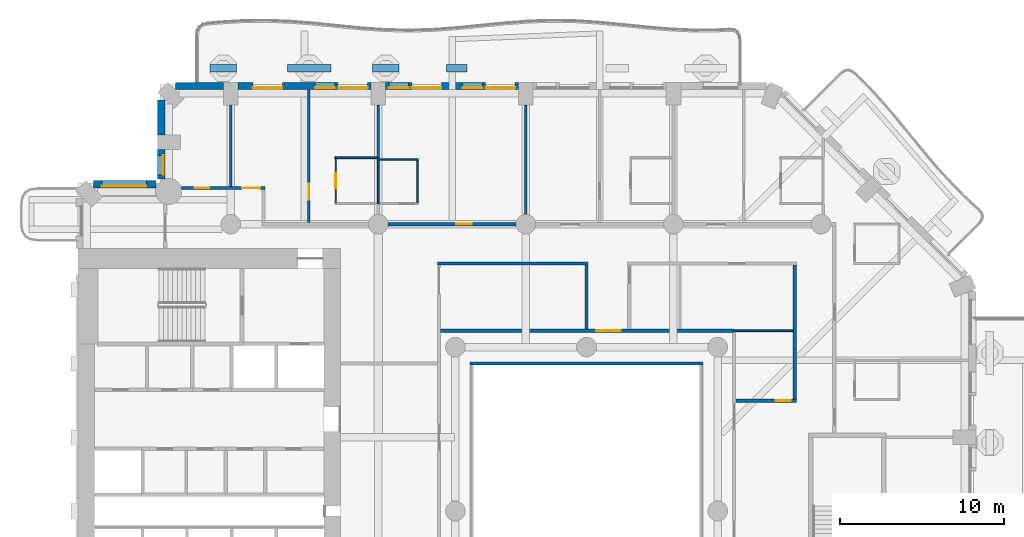
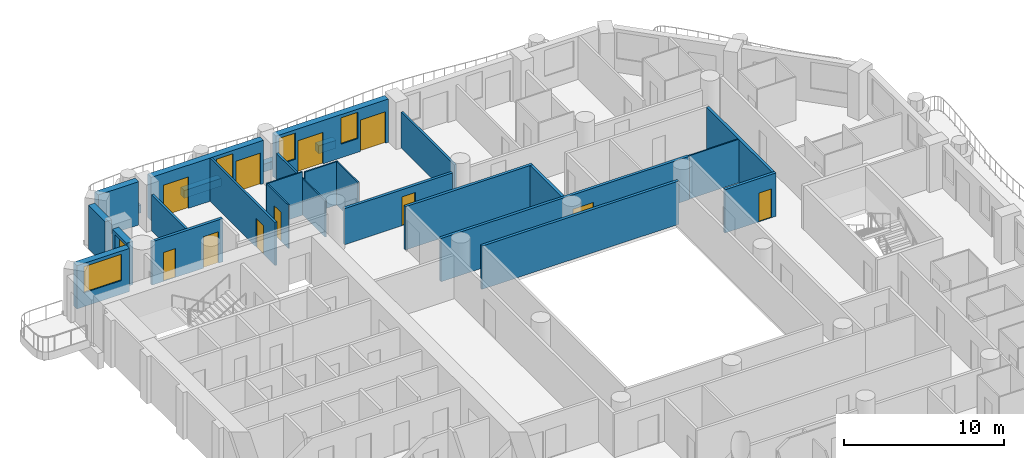
# One storey, part 8 of 20: 28 walls, 11 doors, 5 windows, 16 openings.
"""IFC4 building model written with IfcOpenShell, lengths in metres."""

from ifc_helpers import new_model, si_unit, direction, frame, frame_2d, origin, place, context, subcontext, project, spatial, rectangle, extrude, material, layer, layer_set, type_object, element, fill, save


model = new_model("IFC4")

# Units and contexts
model_context = context("Model", 3, precision=1e-05, world=origin(), true_north=direction((0.0, 1.0)))
body_context = subcontext(model_context, "Body", "Model", "MODEL_VIEW")
ifc_project = project(units=[si_unit("LENGTHUNIT", "METRE"), si_unit("AREAUNIT", "SQUARE_METRE"), si_unit("VOLUMEUNIT", "CUBIC_METRE"), si_unit("PLANEANGLEUNIT", "RADIAN"), si_unit("MASSUNIT", "GRAM", prefix="KILO")], contexts=[model_context])

# Site, building, storey
site_placement = place(None, origin())
site = spatial("IfcSite", under=ifc_project, at=site_placement, CompositionType="ELEMENT")
building_placement = place(site_placement, origin())
building = spatial("IfcBuilding", under=site, at=building_placement, Name="Cypress Arch Tower", CompositionType="ELEMENT")
storey_placement = place(building_placement, frame((0.0, 0.0, 84.300048828125)))
storey = spatial("IfcBuildingStorey", under=building, at=storey_placement, Name="L15", CompositionType="ELEMENT", Elevation=84.300048828125)

# Walls
ifc_material_1 = material(Name="Concrete C40/50, waterproofed", Category="concrete")
ifc_layer_1 = layer(ifc_material_1, 0.449951171875)
ifc_layer_set_1 = layer_set([ifc_layer_1], Name="Balcony planter wall PW450")
wall_type_1 = type_object("IfcWallType", Name="Balcony planter wall PW450", PredefinedType="SOLIDWALL", material=ifc_layer_set_1)
wall_1_placement = place(storey_placement, frame((-6.300048828125, 27.0, 0.0), z_axis=(0.0, 0.0, 1.0), x_axis=(-1.0, 0.0, 0.0)))
element("IfcWall", 1, at=wall_1_placement, inside=storey, type_object=wall_type_1, Name="Balcony planter wall L15-A08.3", PredefinedType="SOLIDWALL", context=body_context, shape_type="SweptSolid", body=[
    extrude(rectangle(XDim=1.25, YDim=0.449951171875, at=frame_2d((0.625, 0.0))), origin(), (0.0, 0.0, 1.0), 0.599853515625),
])
wall_2_placement = place(storey_placement, frame((-10.4375, 27.0, 0.0), z_axis=(0.0, 0.0, 1.0), x_axis=(-1.0, 0.0, 0.0)))
element("IfcWall", 2, at=wall_2_placement, inside=storey, type_object=wall_type_1, Name="Balcony planter wall L15-A08.4", PredefinedType="SOLIDWALL", context=body_context, shape_type="SweptSolid", body=[
    extrude(rectangle(XDim=1.612548828125, YDim=0.449951171875, at=frame_2d((0.80615234375, 0.0))), origin(), (0.0, 0.0, 1.0), 0.599853515625),
])
wall_3_placement = place(storey_placement, frame((-14.574951171875, 27.0, 0.0), z_axis=(0.0, 0.0, 1.0), x_axis=(-1.0, 0.0, 0.0)))
element("IfcWall", 3, at=wall_3_placement, inside=storey, type_object=wall_type_1, Name="Balcony planter wall L15-A08.5", PredefinedType="SOLIDWALL", context=body_context, shape_type="SweptSolid", body=[
    extrude(rectangle(XDim=2.675048828125, YDim=0.449951171875, at=frame_2d((1.33740234375, 0.0))), origin(), (0.0, 0.0, 1.0), 0.599853515625),
])
wall_4_placement = place(storey_placement, frame((-20.35009765625, 27.0, 0.0), z_axis=(0.0, 0.0, 1.0), x_axis=(-1.0, 0.0, 0.0)))
element("IfcWall", 4, at=wall_4_placement, inside=storey, type_object=wall_type_1, Name="Balcony planter wall L15-A08.6", PredefinedType="SOLIDWALL", context=body_context, shape_type="SweptSolid", body=[
    extrude(rectangle(XDim=1.599853515625, YDim=0.449951171875, at=frame_2d((0.7998046875, 0.0))), origin(), (0.0, 0.0, 1.0), 0.599853515625),
])

# Wall, openings, doors, windows
ifc_material_2 = material(Name="Brick (red buff blend)", Category="masonry")
ifc_layer_2 = layer(ifc_material_2, 0.449951171875)
ifc_layer_set_2 = layer_set([ifc_layer_2], Name="Brick pier and spandrel wall BW450")
wall_type_2 = type_object("IfcWallType", Name="Brick pier and spandrel wall BW450", PredefinedType="SOLIDWALL", material=ifc_layer_set_2)
wall_5_placement = place(storey_placement, frame((-3.14990234375, 25.925048828125, 0.0), z_axis=(0.0, 0.0, 1.0), x_axis=(-1.0, 0.0, 0.0)))
wall_5 = element("IfcWall", 5, at=wall_5_placement, inside=storey, type_object=wall_type_2, Name="Brick wall L15 A08.2", PredefinedType="SOLIDWALL", context=body_context, shape_type="SweptSolid", body=[
    extrude(rectangle(XDim=8.10009765625, YDim=0.449951171875, at=frame_2d((4.050048828125, 0.0))), origin(), (0.0, 0.0, 1.0), 3.300048828125),
])
opening_1_placement = place(wall_5_placement, frame((0.199951171875, 0.0, 0.0)))
opening_1 = element("IfcOpeningElement", 6, at=opening_1_placement, cuts=wall_5, Name="Opening D-L15-A08.2.1", PredefinedType="OPENING", context=body_context, shape_type="SweptSolid", body=[
    extrude(rectangle(XDim=1.800048828125, YDim=2.39990234375, at=frame_2d((0.89990234375, 1.199951171875))), frame((0.0, 0.23486328125, 0.0), z_axis=(0.0, -1.0, 0.0), x_axis=(1.0, 0.0, 0.0)), (0.0, 0.0, 1.0), 0.469970703125),
])
opening_2_placement = place(wall_5_placement, frame((2.199951171875, 0.0, 1.050048828125)))
opening_2 = element("IfcOpeningElement", 7, at=opening_2_placement, cuts=wall_5, Name="Opening W120HD", PredefinedType="OPENING", context=body_context, shape_type="SweptSolid", body=[
    extrude(rectangle(XDim=1.199951171875, YDim=2.0, at=frame_2d((0.60009765625, 1.0))), frame((0.0, 0.23486328125, 0.0), z_axis=(0.0, -1.0, 0.0), x_axis=(1.0, 0.0, 0.0)), (0.0, 0.0, 1.0), 0.469970703125),
])
opening_3_placement = place(wall_5_placement, frame((4.699951171875, 0.0, 0.0)))
opening_3 = element("IfcOpeningElement", 8, at=opening_3_placement, cuts=wall_5, Name="Opening D-L15-A08.2.2", PredefinedType="OPENING", context=body_context, shape_type="SweptSolid", body=[
    extrude(rectangle(XDim=1.800048828125, YDim=2.39990234375, at=frame_2d((0.89990234375, 1.199951171875))), frame((0.0, 0.23486328125, 0.0), z_axis=(0.0, -1.0, 0.0), x_axis=(1.0, 0.0, 0.0)), (0.0, 0.0, 1.0), 0.469970703125),
])
opening_4_placement = place(wall_5_placement, frame((6.699951171875, 0.0, 1.050048828125)))
opening_4 = element("IfcOpeningElement", 9, at=opening_4_placement, cuts=wall_5, Name="Opening W120HD", PredefinedType="OPENING", context=body_context, shape_type="SweptSolid", body=[
    extrude(rectangle(XDim=1.199951171875, YDim=2.0, at=frame_2d((0.60009765625, 1.0))), frame((0.0, 0.23486328125, 0.0), z_axis=(0.0, -1.0, 0.0), x_axis=(1.0, 0.0, 0.0)), (0.0, 0.0, 1.0), 0.469970703125),
])
ifc_material_3 = material(Name="Anodised aluminium, bronze finish, laminated low-emissivity double glazing, large-missile impact rated", Category="aluminium")
door_type_1 = type_object("IfcDoorType", Name="Balcony sliding door 1800x2400", OperationType="SLIDING_TO_LEFT", PredefinedType="DOOR", material=ifc_material_3)
door_1_placement = place(opening_1_placement, origin())
door_1 = element("IfcDoor", 10, at=door_1_placement, inside=storey, type_object=door_type_1, Name="Balcony door L15 A08.2.1", OperationType="SLIDING_TO_LEFT", OverallHeight=2.39990234375, OverallWidth=1.800048828125, PredefinedType="DOOR", context=body_context, shape_type="SweptSolid", body=[
    extrude(rectangle(XDim=1.800048828125, YDim=2.39990234375, at=frame_2d((0.89990234375, 1.199951171875))), frame((0.0, 0.1298828125, 0.0), z_axis=(0.0, -1.0, 0.0), x_axis=(1.0, 0.0, 0.0)), (0.0, 0.0, 1.0), 0.050048828125),
])
fill(opening_1, door_1)
door_2_placement = place(opening_3_placement, origin())
door_2 = element("IfcDoor", 11, at=door_2_placement, inside=storey, type_object=door_type_1, Name="Balcony door L15 A08.2.2", OperationType="SLIDING_TO_LEFT", OverallHeight=2.39990234375, OverallWidth=1.800048828125, PredefinedType="DOOR", context=body_context, shape_type="SweptSolid", body=[
    extrude(rectangle(XDim=1.800048828125, YDim=2.39990234375, at=frame_2d((0.89990234375, 1.199951171875))), frame((0.0, 0.1298828125, 0.0), z_axis=(0.0, -1.0, 0.0), x_axis=(1.0, 0.0, 0.0)), (0.0, 0.0, 1.0), 0.050048828125),
])
fill(opening_3, door_2)
ifc_material_4 = material(Name="Anodised aluminium, bronze finish, laminated low-emissivity double glazing, large-missile impact rated", Category="aluminium")
window_type_1 = type_object("IfcWindowType", Name="Window Hotel 1200x2000 debris-rated", PartitioningType="SINGLE_PANEL", PredefinedType="WINDOW", material=ifc_material_4)
window_1_placement = place(opening_2_placement, origin())
window_1 = element("IfcWindow", 12, at=window_1_placement, inside=storey, type_object=window_type_1, Name="Window L15 A08.2.1", OverallHeight=2.0, OverallWidth=1.199951171875, PartitioningType="SINGLE_PANEL", PredefinedType="WINDOW", context=body_context, shape_type="SweptSolid", body=[
    extrude(rectangle(XDim=1.199951171875, YDim=2.0, at=frame_2d((0.60009765625, 1.0))), frame((0.0, 0.135009765625, 0.0), z_axis=(0.0, -1.0, 0.0), x_axis=(1.0, 0.0, 0.0)), (0.0, 0.0, 1.0), 0.06005859375),
])
fill(opening_2, window_1)
window_2_placement = place(opening_4_placement, origin())
window_2 = element("IfcWindow", 13, at=window_2_placement, inside=storey, type_object=window_type_1, Name="Window L15 A08.2.2", OverallHeight=2.0, OverallWidth=1.199951171875, PartitioningType="SINGLE_PANEL", PredefinedType="WINDOW", context=body_context, shape_type="SweptSolid", body=[
    extrude(rectangle(XDim=1.199951171875, YDim=2.0, at=frame_2d((0.60009765625, 1.0))), frame((0.0, 0.135009765625, 0.0), z_axis=(0.0, -1.0, 0.0), x_axis=(1.0, 0.0, 0.0)), (0.0, 0.0, 1.0), 0.06005859375),
])
fill(opening_4, window_2)

# Wall, openings, doors, window
wall_6_placement = place(storey_placement, frame((-12.14990234375, 25.925048828125, 0.0), z_axis=(0.0, 0.0, 1.0), x_axis=(-1.0, 0.0, 0.0)))
wall_6 = element("IfcWall", 14, at=wall_6_placement, inside=storey, type_object=wall_type_2, Name="Brick wall L15 A08.3", PredefinedType="SOLIDWALL", context=body_context, shape_type="SweptSolid", body=[
    extrude(rectangle(XDim=8.10009765625, YDim=0.449951171875, at=frame_2d((4.050048828125, 0.0))), origin(), (0.0, 0.0, 1.0), 3.300048828125),
])
opening_5_placement = place(wall_6_placement, frame((0.199951171875, 0.0, 0.0)))
opening_5 = element("IfcOpeningElement", 15, at=opening_5_placement, cuts=wall_6, Name="Opening D-L15-A08.3.1", PredefinedType="OPENING", context=body_context, shape_type="SweptSolid", body=[
    extrude(rectangle(XDim=1.800048828125, YDim=2.39990234375, at=frame_2d((0.89990234375, 1.199951171875))), frame((0.0, 0.23486328125, 0.0), z_axis=(0.0, -1.0, 0.0), x_axis=(1.0, 0.0, 0.0)), (0.0, 0.0, 1.0), 0.469970703125),
])
opening_6_placement = place(wall_6_placement, frame((2.199951171875, 0.0, 1.050048828125)))
opening_6 = element("IfcOpeningElement", 16, at=opening_6_placement, cuts=wall_6, Name="Opening W120HD", PredefinedType="OPENING", context=body_context, shape_type="SweptSolid", body=[
    extrude(rectangle(XDim=1.199951171875, YDim=2.0, at=frame_2d((0.60009765625, 1.0))), frame((0.0, 0.23486328125, 0.0), z_axis=(0.0, -1.0, 0.0), x_axis=(1.0, 0.0, 0.0)), (0.0, 0.0, 1.0), 0.469970703125),
])
opening_7_placement = place(wall_6_placement, frame((5.39990234375, 0.0, 0.0)))
opening_7 = element("IfcOpeningElement", 17, at=opening_7_placement, cuts=wall_6, Name="Opening D-L15-A08.3.2", PredefinedType="OPENING", context=body_context, shape_type="SweptSolid", body=[
    extrude(rectangle(XDim=1.800048828125, YDim=2.39990234375, at=frame_2d((0.89990234375, 1.199951171875))), frame((0.0, 0.23486328125, 0.0), z_axis=(0.0, -1.0, 0.0), x_axis=(1.0, 0.0, 0.0)), (0.0, 0.0, 1.0), 0.469970703125),
])
door_3_placement = place(opening_5_placement, origin())
door_3 = element("IfcDoor", 18, at=door_3_placement, inside=storey, type_object=door_type_1, Name="Balcony door L15 A08.3.1", OperationType="SLIDING_TO_LEFT", OverallHeight=2.39990234375, OverallWidth=1.800048828125, PredefinedType="DOOR", context=body_context, shape_type="SweptSolid", body=[
    extrude(rectangle(XDim=1.800048828125, YDim=2.39990234375, at=frame_2d((0.89990234375, 1.199951171875))), frame((0.0, 0.1298828125, 0.0), z_axis=(0.0, -1.0, 0.0), x_axis=(1.0, 0.0, 0.0)), (0.0, 0.0, 1.0), 0.050048828125),
])
fill(opening_5, door_3)
door_4_placement = place(opening_7_placement, origin())
door_4 = element("IfcDoor", 19, at=door_4_placement, inside=storey, type_object=door_type_1, Name="Balcony door L15 A08.3.2", OperationType="SLIDING_TO_LEFT", OverallHeight=2.39990234375, OverallWidth=1.800048828125, PredefinedType="DOOR", context=body_context, shape_type="SweptSolid", body=[
    extrude(rectangle(XDim=1.800048828125, YDim=2.39990234375, at=frame_2d((0.89990234375, 1.199951171875))), frame((0.0, 0.1298828125, 0.0), z_axis=(0.0, -1.0, 0.0), x_axis=(1.0, 0.0, 0.0)), (0.0, 0.0, 1.0), 0.050048828125),
])
fill(opening_7, door_4)
window_3_placement = place(opening_6_placement, origin())
window_3 = element("IfcWindow", 20, at=window_3_placement, inside=storey, type_object=window_type_1, Name="Window L15 A08.3.1", OverallHeight=2.0, OverallWidth=1.199951171875, PartitioningType="SINGLE_PANEL", PredefinedType="WINDOW", context=body_context, shape_type="SweptSolid", body=[
    extrude(rectangle(XDim=1.199951171875, YDim=2.0, at=frame_2d((0.60009765625, 1.0))), frame((0.0, 0.135009765625, 0.0), z_axis=(0.0, -1.0, 0.0), x_axis=(1.0, 0.0, 0.0)), (0.0, 0.0, 1.0), 0.06005859375),
])
fill(opening_6, window_3)

# Walls
wall_7_placement = place(storey_placement, frame((-21.14990234375, 25.925048828125, 0.0), z_axis=(0.0, 0.0, 1.0), x_axis=(-1.0, 0.0, 0.0)))
element("IfcWall", 21, at=wall_7_placement, inside=storey, type_object=wall_type_2, Name="Brick wall L15 A08.4", PredefinedType="SOLIDWALL", context=body_context, shape_type="SweptSolid", body=[
    extrude(rectangle(XDim=2.913818359375, YDim=0.449951171875, at=frame_2d((1.45703125, 0.0))), origin(), (0.0, 0.0, 1.0), 3.300048828125),
])
wall_8_placement = place(storey_placement, frame((-24.925048828125, 25.063720703125, 0.0), z_axis=(0.0, 0.0, 1.0), x_axis=(0.0, -1.0, 0.0)))
element("IfcWall", 22, at=wall_8_placement, inside=storey, type_object=wall_type_2, Name="Brick wall L15 A09.0", PredefinedType="SOLIDWALL", context=body_context, shape_type="SweptSolid", body=[
    extrude(rectangle(XDim=2.11376953125, YDim=0.449951171875, at=frame_2d((1.056884765625, 0.0))), origin(), (0.0, 0.0, 1.0), 3.300048828125),
])

# Wall, opening, window
wall_9_placement = place(storey_placement, frame((-24.925048828125, 22.050048828125, 0.0), z_axis=(0.0, 0.0, 1.0), x_axis=(0.0, -1.0, 0.0)))
wall_9 = element("IfcWall", 23, at=wall_9_placement, inside=storey, type_object=wall_type_2, Name="Brick wall L15 A09.1", PredefinedType="SOLIDWALL", context=body_context, shape_type="SweptSolid", body=[
    extrude(rectangle(XDim=1.79150390625, YDim=0.449951171875, at=frame_2d((0.895751953125, 0.0))), origin(), (0.0, 0.0, 1.0), 3.300048828125),
])
opening_8_placement = place(wall_9_placement, frame((0.35009765625, 0.0, 1.050048828125)))
opening_8 = element("IfcOpeningElement", 24, at=opening_8_placement, cuts=wall_9, Name="Opening W120H", PredefinedType="OPENING", context=body_context, shape_type="SweptSolid", body=[
    extrude(rectangle(XDim=1.199951171875, YDim=2.0, at=frame_2d((0.60009765625, 1.0))), frame((0.0, 0.23486328125, 0.0), z_axis=(0.0, -1.0, 0.0), x_axis=(1.0, 0.0, 0.0)), (0.0, 0.0, 1.0), 0.469970703125),
])
ifc_material_5 = material(Name="Anodised aluminium, bronze finish, clear low-emissivity double glazing", Category="aluminium")
window_type_2 = type_object("IfcWindowType", Name="Window Hotel 1200x2000", PartitioningType="SINGLE_PANEL", PredefinedType="WINDOW", material=ifc_material_5)
window_4_placement = place(opening_8_placement, origin())
window_4 = element("IfcWindow", 25, at=window_4_placement, inside=storey, type_object=window_type_2, Name="Window L15 A09.1.1", OverallHeight=2.0, OverallWidth=1.199951171875, PartitioningType="SINGLE_PANEL", PredefinedType="WINDOW", context=body_context, shape_type="SweptSolid", body=[
    extrude(rectangle(XDim=1.199951171875, YDim=2.0, at=frame_2d((0.60009765625, 1.0))), frame((0.0, 0.135009765625, 0.0), z_axis=(0.0, -1.0, 0.0), x_axis=(1.0, 0.0, 0.0)), (0.0, 0.0, 1.0), 0.06005859375),
])
fill(opening_8, window_4)

wall_10_placement = place(storey_placement, frame((-25.258544921875, 19.925048828125, 0.0), z_axis=(0.0, 0.0, 1.0), x_axis=(-1.0, 0.0, 0.0)))
wall_10 = element("IfcWall", 26, at=wall_10_placement, inside=storey, type_object=wall_type_2, Name="Brick wall L15 A10.0", PredefinedType="SOLIDWALL", context=body_context, shape_type="SweptSolid", body=[
    extrude(rectangle(XDim=3.80517578125, YDim=0.449951171875, at=frame_2d((1.902587890625, 0.0))), origin(), (0.0, 0.0, 1.0), 3.300048828125),
])
opening_9_placement = place(wall_10_placement, frame((0.591552734375, 0.0, 1.050048828125)))
opening_9 = element("IfcOpeningElement", 27, at=opening_9_placement, cuts=wall_10, Name="Opening W270H", PredefinedType="OPENING", context=body_context, shape_type="SweptSolid", body=[
    extrude(rectangle(XDim=2.699951171875, YDim=2.0, at=frame_2d((1.35009765625, 1.0))), frame((0.0, 0.23486328125, 0.0), z_axis=(0.0, -1.0, 0.0), x_axis=(1.0, 0.0, 0.0)), (0.0, 0.0, 1.0), 0.469970703125),
])
ifc_material_6 = material(Name="Anodised aluminium, bronze finish, clear low-emissivity double glazing", Category="aluminium")
window_type_3 = type_object("IfcWindowType", Name="Window Hotel 2700x2000", PartitioningType="SINGLE_PANEL", PredefinedType="WINDOW", material=ifc_material_6)
window_5_placement = place(opening_9_placement, origin())
window_5 = element("IfcWindow", 28, at=window_5_placement, inside=storey, type_object=window_type_3, Name="Window L15 A10.0.1", OverallHeight=2.0, OverallWidth=2.699951171875, PartitioningType="SINGLE_PANEL", PredefinedType="WINDOW", context=body_context, shape_type="SweptSolid", body=[
    extrude(rectangle(XDim=2.699951171875, YDim=2.0, at=frame_2d((1.35009765625, 1.0))), frame((0.0, 0.135009765625, 0.0), z_axis=(0.0, -1.0, 0.0), x_axis=(1.0, 0.0, 0.0)), (0.0, 0.0, 1.0), 0.06005859375),
])
fill(opening_9, window_5)

# Wall, openings, doors
ifc_material_7 = material(Name="Concrete blockwork, plastered, rated", Category="masonry")
ifc_layer_3 = layer(ifc_material_7, 0.199951171875)
ifc_layer_set_3 = layer_set([ifc_layer_3], Name="Corridor wall FW200")
wall_type_3 = type_object("IfcWallType", Name="Corridor wall FW200", PredefinedType="PARTITIONING", material=ifc_layer_set_3)
wall_11_placement = place(storey_placement, frame((-23.7001953125, 19.699951171875, 0.0), z_axis=(0.0, 0.0, 1.0), x_axis=(1.0, 0.0, 0.0)))
wall_11 = element("IfcWall", 29, at=wall_11_placement, inside=storey, type_object=wall_type_3, Name="Corridor wall", PredefinedType="PARTITIONING", context=body_context, shape_type="SweptSolid", body=[
    extrude(rectangle(XDim=5.10009765625, YDim=0.199951171875, at=frame_2d((2.550048828125, 0.0))), origin(), (0.0, 0.0, 1.0), 3.300048828125),
])
opening_10_placement = place(wall_11_placement, frame((0.800048828125, 0.0, 0.0)))
opening_10 = element("IfcOpeningElement", 30, at=opening_10_placement, cuts=wall_11, Name="Opening D05", PredefinedType="OPENING", context=body_context, shape_type="SweptSolid", body=[
    extrude(rectangle(XDim=0.89990234375, YDim=2.199951171875, at=frame_2d((0.449951171875, 1.10009765625))), frame((0.0, 0.10986328125, 0.0), z_axis=(0.0, -1.0, 0.0), x_axis=(1.0, 0.0, 0.0)), (0.0, 0.0, 1.0), 0.219970703125),
])
opening_11_placement = place(wall_11_placement, frame((3.699951171875, 0.0, 0.0)))
opening_11 = element("IfcOpeningElement", 31, at=opening_11_placement, cuts=wall_11, Name="Opening D01", PredefinedType="OPENING", context=body_context, shape_type="SweptSolid", body=[
    extrude(rectangle(XDim=1.10009765625, YDim=2.39990234375, at=frame_2d((0.550048828125, 1.199951171875))), frame((0.0, 0.10986328125, 0.0), z_axis=(0.0, -1.0, 0.0), x_axis=(1.0, 0.0, 0.0)), (0.0, 0.0, 1.0), 0.219970703125),
])
ifc_material_8 = material(Name="Timber flush door", Category="wood")
door_type_2 = type_object("IfcDoorType", Name="Service door D05 900x2200", OperationType="SINGLE_SWING_LEFT", PredefinedType="DOOR", material=ifc_material_8)
door_5_placement = place(opening_10_placement, origin())
door_5 = element("IfcDoor", 32, at=door_5_placement, inside=storey, type_object=door_type_2, Name="Service door", OperationType="SINGLE_SWING_LEFT", OverallHeight=2.199951171875, OverallWidth=0.89990234375, PredefinedType="DOOR", context=body_context, shape_type="SweptSolid", body=[
    extrude(rectangle(XDim=0.89990234375, YDim=2.199951171875, at=frame_2d((0.449951171875, 1.10009765625))), frame((0.0, 0.02490234375, 0.0), z_axis=(0.0, -1.0, 0.0), x_axis=(1.0, 0.0, 0.0)), (0.0, 0.0, 1.0), 0.050048828125),
])
fill(opening_10, door_5)
ifc_material_9 = material(Name="Timber flush door, fire resisting, self-closing", Category="wood")
door_type_3 = type_object("IfcDoorType", Name="Unit entrance door D01 1100x2400", OperationType="SINGLE_SWING_LEFT", PredefinedType="DOOR", material=ifc_material_9)
door_6_placement = place(opening_11_placement, origin())
door_6 = element("IfcDoor", 33, at=door_6_placement, inside=storey, type_object=door_type_3, Name="Unit entrance door", OperationType="SINGLE_SWING_LEFT", OverallHeight=2.39990234375, OverallWidth=1.10009765625, PredefinedType="DOOR", context=body_context, shape_type="SweptSolid", body=[
    extrude(rectangle(XDim=1.10009765625, YDim=2.39990234375, at=frame_2d((0.550048828125, 1.199951171875))), frame((0.0, 0.02490234375, 0.0), z_axis=(0.0, -1.0, 0.0), x_axis=(1.0, 0.0, 0.0)), (0.0, 0.0, 1.0), 0.050048828125),
])
fill(opening_11, door_6)

# Wall, opening, door
wall_12_placement = place(storey_placement, frame((-11.10009765625, 17.5, 0.0), z_axis=(0.0, 0.0, 1.0), x_axis=(1.0, 0.0, 0.0)))
wall_12 = element("IfcWall", 34, at=wall_12_placement, inside=storey, type_object=wall_type_3, Name="Corridor wall", PredefinedType="PARTITIONING", context=body_context, shape_type="SweptSolid", body=[
    extrude(rectangle(XDim=7.800048828125, YDim=0.199951171875, at=frame_2d((3.89990234375, 0.0))), origin(), (0.0, 0.0, 1.0), 2.75),
])
opening_12_placement = place(wall_12_placement, frame((4.14990234375, 0.0, 0.0)))
opening_12 = element("IfcOpeningElement", 35, at=opening_12_placement, cuts=wall_12, Name="Opening D02", PredefinedType="OPENING", context=body_context, shape_type="SweptSolid", body=[
    extrude(rectangle(XDim=0.949951171875, YDim=2.199951171875, at=frame_2d((0.47509765625, 1.10009765625))), frame((0.0, 0.10986328125, 0.0), z_axis=(0.0, -1.0, 0.0), x_axis=(1.0, 0.0, 0.0)), (0.0, 0.0, 1.0), 0.219970703125),
])
ifc_material_10 = material(Name="Timber flush door, fire resisting", Category="wood")
door_type_4 = type_object("IfcDoorType", Name="Room door D02 950x2200", OperationType="SINGLE_SWING_LEFT", PredefinedType="DOOR", material=ifc_material_10)
door_7_placement = place(opening_12_placement, origin())
door_7 = element("IfcDoor", 36, at=door_7_placement, inside=storey, type_object=door_type_4, Name="Room door", OperationType="SINGLE_SWING_RIGHT", OverallHeight=2.199951171875, OverallWidth=0.949951171875, PredefinedType="DOOR", context=body_context, shape_type="SweptSolid", body=[
    extrude(rectangle(XDim=0.949951171875, YDim=2.199951171875, at=frame_2d((0.47509765625, 1.10009765625))), frame((0.0, 0.02490234375, 0.0), z_axis=(0.0, -1.0, 0.0), x_axis=(1.0, 0.0, 0.0)), (0.0, 0.0, 1.0), 0.050048828125),
])
fill(opening_12, door_7)

wall_13_placement = place(storey_placement, frame((-7.89990234375, 11.0, 0.0), z_axis=(0.0, 0.0, 1.0), x_axis=(1.0, 0.0, 0.0)))
wall_13 = element("IfcWall", 37, at=wall_13_placement, inside=storey, type_object=wall_type_3, Name="Corridor wall", PredefinedType="PARTITIONING", context=body_context, shape_type="SweptSolid", body=[
    extrude(rectangle(XDim=17.89990234375, YDim=0.199951171875, at=frame_2d((8.949951171875, 0.0))), origin(), (0.0, 0.0, 1.0), 3.300048828125),
])
opening_13_placement = place(wall_13_placement, frame((9.5, 0.0, 0.0)))
opening_13 = element("IfcOpeningElement", 38, at=opening_13_placement, cuts=wall_13, Name="Opening D04", PredefinedType="OPENING", context=body_context, shape_type="SweptSolid", body=[
    extrude(rectangle(XDim=1.5, YDim=2.199951171875, at=frame_2d((0.75, 1.10009765625))), frame((0.0, 0.10986328125, 0.0), z_axis=(0.0, -1.0, 0.0), x_axis=(1.0, 0.0, 0.0)), (0.0, 0.0, 1.0), 0.219970703125),
])
ifc_material_11 = material(Name="Timber double door", Category="wood")
door_type_5 = type_object("IfcDoorType", Name="Double door D04 1500x2200", OperationType="DOUBLE_DOOR_SINGLE_SWING", PredefinedType="DOOR", material=ifc_material_11)
door_8_placement = place(opening_13_placement, origin())
door_8 = element("IfcDoor", 39, at=door_8_placement, inside=storey, type_object=door_type_5, Name="Double door", OperationType="DOUBLE_DOOR_SINGLE_SWING", OverallHeight=2.199951171875, OverallWidth=1.5, PredefinedType="DOOR", context=body_context, shape_type="SweptSolid", body=[
    extrude(rectangle(XDim=1.5, YDim=2.199951171875, at=frame_2d((0.75, 1.10009765625))), frame((0.0, 0.02490234375, 0.0), z_axis=(0.0, -1.0, 0.0), x_axis=(1.0, 0.0, 0.0)), (0.0, 0.0, 1.0), 0.050048828125),
])
fill(opening_13, door_8)

# Walls
wall_14_placement = place(storey_placement, frame((-8.10009765625, 15.10009765625, 0.0), z_axis=(0.0, 0.0, 1.0), x_axis=(1.0, 0.0, 0.0)))
element("IfcWall", 40, at=wall_14_placement, inside=storey, type_object=wall_type_3, Name="Corridor wall", PredefinedType="PARTITIONING", context=body_context, shape_type="SweptSolid", body=[
    extrude(rectangle(XDim=9.2001953125, YDim=0.199951171875, at=frame_2d((4.60009765625, 0.0))), origin(), (0.0, 0.0, 1.0), 3.300048828125),
])
wall_15_placement = place(storey_placement, frame((-6.10009765625, 9.0, 0.0), z_axis=(0.0, 0.0, 1.0), x_axis=(1.0, 0.0, 0.0)))
element("IfcWall", 41, at=wall_15_placement, inside=storey, type_object=wall_type_3, Name="Corridor wall", PredefinedType="PARTITIONING", context=body_context, shape_type="SweptSolid", body=[
    extrude(rectangle(XDim=14.2001953125, YDim=0.199951171875, at=frame_2d((7.10009765625, 0.0))), origin(), (0.0, 0.0, 1.0), 3.300048828125),
])
wall_16_placement = place(storey_placement, frame((1.0, 11.10009765625, 0.0), z_axis=(0.0, 0.0, 1.0), x_axis=(0.0, 1.0, 0.0)))
element("IfcWall", 42, at=wall_16_placement, inside=storey, type_object=wall_type_3, Name="Corridor wall", PredefinedType="PARTITIONING", context=body_context, shape_type="SweptSolid", body=[
    extrude(rectangle(XDim=3.89990234375, YDim=0.199951171875, at=frame_2d((1.949951171875, 0.0))), origin(), (0.0, 0.0, 1.0), 3.300048828125),
])

# Wall, opening, door
wall_17_placement = place(storey_placement, frame((10.10009765625, 6.72509765625, 0.0), z_axis=(0.0, 0.0, 1.0), x_axis=(1.0, 0.0, 0.0)))
wall_17 = element("IfcWall", 43, at=wall_17_placement, inside=storey, type_object=wall_type_3, Name="Corridor wall", PredefinedType="PARTITIONING", context=body_context, shape_type="SweptSolid", body=[
    extrude(rectangle(XDim=3.699951171875, YDim=0.199951171875, at=frame_2d((1.85009765625, 0.0))), origin(), (0.0, 0.0, 1.0), 3.300048828125),
])
opening_14_placement = place(wall_17_placement, frame((2.449951171875, 0.0, 0.0)))
opening_14 = element("IfcOpeningElement", 44, at=opening_14_placement, cuts=wall_17, Name="Opening D03", PredefinedType="OPENING", context=body_context, shape_type="SweptSolid", body=[
    extrude(rectangle(XDim=0.89990234375, YDim=2.199951171875, at=frame_2d((0.449951171875, 1.10009765625))), frame((0.0, 0.10986328125, 0.0), z_axis=(0.0, -1.0, 0.0), x_axis=(1.0, 0.0, 0.0)), (0.0, 0.0, 1.0), 0.219970703125),
])
ifc_material_12 = material(Name="Timber flush door, moisture resistant", Category="wood")
door_type_6 = type_object("IfcDoorType", Name="Bathroom door D03 900x2200", OperationType="SINGLE_SWING_LEFT", PredefinedType="DOOR", material=ifc_material_12)
door_9_placement = place(opening_14_placement, origin())
door_9 = element("IfcDoor", 45, at=door_9_placement, inside=storey, type_object=door_type_6, Name="Bathroom door", OperationType="SINGLE_SWING_RIGHT", OverallHeight=2.199951171875, OverallWidth=0.89990234375, PredefinedType="DOOR", context=body_context, shape_type="SweptSolid", body=[
    extrude(rectangle(XDim=0.89990234375, YDim=2.199951171875, at=frame_2d((0.449951171875, 1.10009765625))), frame((0.0, 0.02490234375, 0.0), z_axis=(0.0, -1.0, 0.0), x_axis=(1.0, 0.0, 0.0)), (0.0, 0.0, 1.0), 0.050048828125),
])
fill(opening_14, door_9)

# Walls
wall_18_placement = place(storey_placement, frame((13.699951171875, 6.824951171875, 0.0), z_axis=(0.0, 0.0, 1.0), x_axis=(0.0, 1.0, 0.0)))
element("IfcWall", 46, at=wall_18_placement, inside=storey, type_object=wall_type_3, Name="Corridor wall", PredefinedType="PARTITIONING", context=body_context, shape_type="SweptSolid", body=[
    extrude(rectangle(XDim=8.175048828125, YDim=0.199951171875, at=frame_2d((4.08740234375, 0.0))), origin(), (0.0, 0.0, 1.0), 3.300048828125),
])
ifc_material_13 = material(Name="Blockwork, plastered both sides", Category="masonry")
ifc_layer_4 = layer(ifc_material_13, 0.14990234375)
ifc_layer_set_4 = layer_set([ifc_layer_4], Name="Partition PW150")
wall_type_4 = type_object("IfcWallType", Name="Partition PW150", PredefinedType="PARTITIONING", material=ifc_layer_set_4)
wall_19_placement = place(storey_placement, frame((-20.699951171875, 19.800048828125, 0.0), z_axis=(0.0, 0.0, 1.0), x_axis=(0.0, 1.0, 0.0)))
element("IfcWall", 47, at=wall_19_placement, inside=storey, type_object=wall_type_4, Name="Partition", PredefinedType="PARTITIONING", context=body_context, shape_type="SweptSolid", body=[
    extrude(rectangle(XDim=4.949951171875, YDim=0.14990234375, at=frame_2d((2.47509765625, 0.0))), origin(), (0.0, 0.0, 1.0), 2.75),
])

# Wall, opening, door
wall_20_placement = place(storey_placement, frame((-15.930908203125, 17.60009765625, 0.0), z_axis=(0.0, 0.0, 1.0), x_axis=(0.0, 1.0, 0.0)))
wall_20 = element("IfcWall", 48, at=wall_20_placement, inside=storey, type_object=wall_type_4, Name="Partition", PredefinedType="PARTITIONING", context=body_context, shape_type="SweptSolid", body=[
    extrude(rectangle(XDim=8.099853515625, YDim=0.14990234375, at=frame_2d((4.0498046875, 0.0))), origin(), (0.0, 0.0, 1.0), 3.300048828125),
])
opening_15_placement = place(wall_20_placement, frame((1.39990234375, 0.0, 0.0)))
opening_15 = element("IfcOpeningElement", 49, at=opening_15_placement, cuts=wall_20, Name="Opening D12", PredefinedType="OPENING", context=body_context, shape_type="SweptSolid", body=[
    extrude(rectangle(XDim=0.949951171875, YDim=2.199951171875, at=frame_2d((0.47509765625, 1.10009765625))), frame((0.0, 0.0849609375, 0.0), z_axis=(0.0, -1.0, 0.0), x_axis=(1.0, 0.0, 0.0)), (0.0, 0.0, 1.0), 0.169921875),
])
ifc_material_14 = material(Name="Timber flush door", Category="wood")
door_type_7 = type_object("IfcDoorType", Name="Room door D12 950x2200", OperationType="SINGLE_SWING_LEFT", PredefinedType="DOOR", material=ifc_material_14)
door_10_placement = place(opening_15_placement, origin())
door_10 = element("IfcDoor", 50, at=door_10_placement, inside=storey, type_object=door_type_7, Name="Room door", OperationType="SINGLE_SWING_LEFT", OverallHeight=2.199951171875, OverallWidth=0.949951171875, PredefinedType="DOOR", context=body_context, shape_type="SweptSolid", body=[
    extrude(rectangle(XDim=0.949951171875, YDim=2.199951171875, at=frame_2d((0.47509765625, 1.10009765625))), frame((0.0, 0.02490234375, 0.0), z_axis=(0.0, -1.0, 0.0), x_axis=(1.0, 0.0, 0.0)), (0.0, 0.0, 1.0), 0.050048828125),
])
fill(opening_15, door_10)

# Walls
wall_21_placement = place(storey_placement, frame((-11.699951171875, 21.550048828125, 0.0), z_axis=(0.0, 0.0, 1.0), x_axis=(0.0, 1.0, 0.0)))
element("IfcWall", 51, at=wall_21_placement, inside=storey, type_object=wall_type_4, Name="Partition", PredefinedType="PARTITIONING", context=body_context, shape_type="SweptSolid", body=[
    extrude(rectangle(XDim=3.199951171875, YDim=0.14990234375, at=frame_2d((1.60009765625, 0.0))), origin(), (0.0, 0.0, 1.0), 2.75),
])
wall_22_placement = place(storey_placement, frame((-2.699951171875, 18.10009765625, 0.0), z_axis=(0.0, 0.0, 1.0), x_axis=(0.0, 1.0, 0.0)))
element("IfcWall", 52, at=wall_22_placement, inside=storey, type_object=wall_type_4, Name="Partition", PredefinedType="PARTITIONING", context=body_context, shape_type="SweptSolid", body=[
    extrude(rectangle(XDim=6.64990234375, YDim=0.14990234375, at=frame_2d((3.324951171875, 0.0))), origin(), (0.0, 0.0, 1.0), 2.75),
])

# Wall, opening, door
ifc_material_15 = material(Name="Moisture resistant board on steel studs, tiled", Category="steel")
ifc_layer_5 = layer(ifc_material_15, 0.10009765625)
ifc_layer_set_5 = layer_set([ifc_layer_5], Name="Wet wall PW100")
wall_type_5 = type_object("IfcWallType", Name="Wet wall PW100", PredefinedType="PARTITIONING", material=ifc_layer_set_5)
wall_23_placement = place(storey_placement, frame((-14.2958984375, 18.800048828125, 0.0), z_axis=(0.0, 0.0, 1.0), x_axis=(0.0, 1.0, 0.0)))
wall_23 = element("IfcWall", 53, at=wall_23_placement, inside=storey, type_object=wall_type_5, Name="Wet wall", PredefinedType="PARTITIONING", context=body_context, shape_type="SweptSolid", body=[
    extrude(rectangle(XDim=2.699951171875, YDim=0.10009765625, at=frame_2d((1.35009765625, 0.0))), origin(), (0.0, 0.0, 1.0), 3.300048828125),
])
opening_16_placement = place(wall_23_placement, frame((0.89990234375, 0.0, 0.0)))
opening_16 = element("IfcOpeningElement", 54, at=opening_16_placement, cuts=wall_23, Name="Opening D03", PredefinedType="OPENING", context=body_context, shape_type="SweptSolid", body=[
    extrude(rectangle(XDim=0.89990234375, YDim=2.199951171875, at=frame_2d((0.449951171875, 1.10009765625))), frame((0.0, 0.06005859375, 0.0), z_axis=(0.0, -1.0, 0.0), x_axis=(1.0, 0.0, 0.0)), (0.0, 0.0, 1.0), 0.1201171875),
])
door_11_placement = place(opening_16_placement, origin())
door_11 = element("IfcDoor", 55, at=door_11_placement, inside=storey, type_object=door_type_6, Name="Bathroom door", OperationType="SINGLE_SWING_LEFT", OverallHeight=2.199951171875, OverallWidth=0.89990234375, PredefinedType="DOOR", context=body_context, shape_type="SweptSolid", body=[
    extrude(rectangle(XDim=0.89990234375, YDim=2.199951171875, at=frame_2d((0.449951171875, 1.10009765625))), frame((0.0, 0.02490234375, 0.0), z_axis=(0.0, -1.0, 0.0), x_axis=(1.0, 0.0, 0.0)), (0.0, 0.0, 1.0), 0.050048828125),
])
fill(opening_16, door_11)

# Walls
wall_24_placement = place(storey_placement, frame((-14.345947265625, 21.550048828125, 0.0), z_axis=(0.0, 0.0, 1.0), x_axis=(1.0, 0.0, 0.0)))
element("IfcWall", 56, at=wall_24_placement, inside=storey, type_object=wall_type_5, Name="Wet wall", PredefinedType="PARTITIONING", context=body_context, shape_type="SweptSolid", body=[
    extrude(rectangle(XDim=2.595947265625, YDim=0.10009765625, at=frame_2d((1.2978515625, 0.0))), origin(), (0.0, 0.0, 1.0), 3.300048828125),
])
wall_25_placement = place(storey_placement, frame((-11.699951171875, 18.72998046875, 0.0), z_axis=(0.0, 0.0, 1.0), x_axis=(0.0, 1.0, 0.0)))
element("IfcWall", 57, at=wall_25_placement, inside=storey, type_object=wall_type_5, Name="Wet wall", PredefinedType="PARTITIONING", context=body_context, shape_type="SweptSolid", body=[
    extrude(rectangle(XDim=2.820068359375, YDim=0.10009765625, at=frame_2d((1.41015625, 0.0))), origin(), (0.0, 0.0, 1.0), 2.75),
])
wall_26_placement = place(storey_placement, frame((-11.64990234375, 21.449951171875, 0.0), z_axis=(0.0, 0.0, 1.0), x_axis=(1.0, 0.0, 0.0)))
element("IfcWall", 58, at=wall_26_placement, inside=storey, type_object=wall_type_5, Name="Wet wall", PredefinedType="PARTITIONING", context=body_context, shape_type="SweptSolid", body=[
    extrude(rectangle(XDim=2.39599609375, YDim=0.10009765625, at=frame_2d((1.197998046875, 0.0))), origin(), (0.0, 0.0, 1.0), 3.300048828125),
])
wall_27_placement = place(storey_placement, frame((-9.303955078125, 18.800048828125, 0.0), z_axis=(0.0, 0.0, 1.0), x_axis=(0.0, 1.0, 0.0)))
element("IfcWall", 59, at=wall_27_placement, inside=storey, type_object=wall_type_5, Name="Wet wall", PredefinedType="PARTITIONING", context=body_context, shape_type="SweptSolid", body=[
    extrude(rectangle(XDim=2.599853515625, YDim=0.10009765625, at=frame_2d((1.2998046875, 0.0))), origin(), (0.0, 0.0, 1.0), 3.300048828125),
])
wall_28_placement = place(storey_placement, frame((10.0, 11.0, 0.0), z_axis=(0.0, 0.0, 1.0), x_axis=(1.0, 0.0, 0.0)))
element("IfcWall", 60, at=wall_28_placement, inside=storey, type_object=wall_type_5, Name="Wet wall", PredefinedType="PARTITIONING", context=body_context, shape_type="SweptSolid", body=[
    extrude(rectangle(XDim=3.60009765625, YDim=0.10009765625, at=frame_2d((1.800048828125, 0.0))), origin(), (0.0, 0.0, 1.0), 3.300048828125),
])

save(model, "model.ifc")
